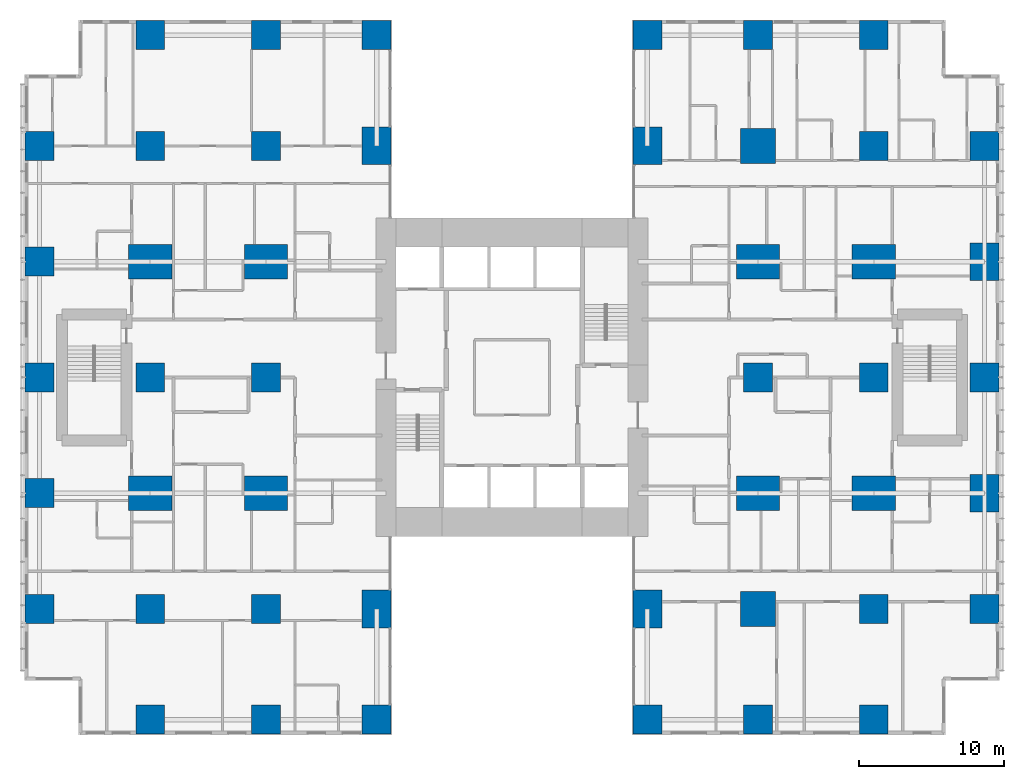
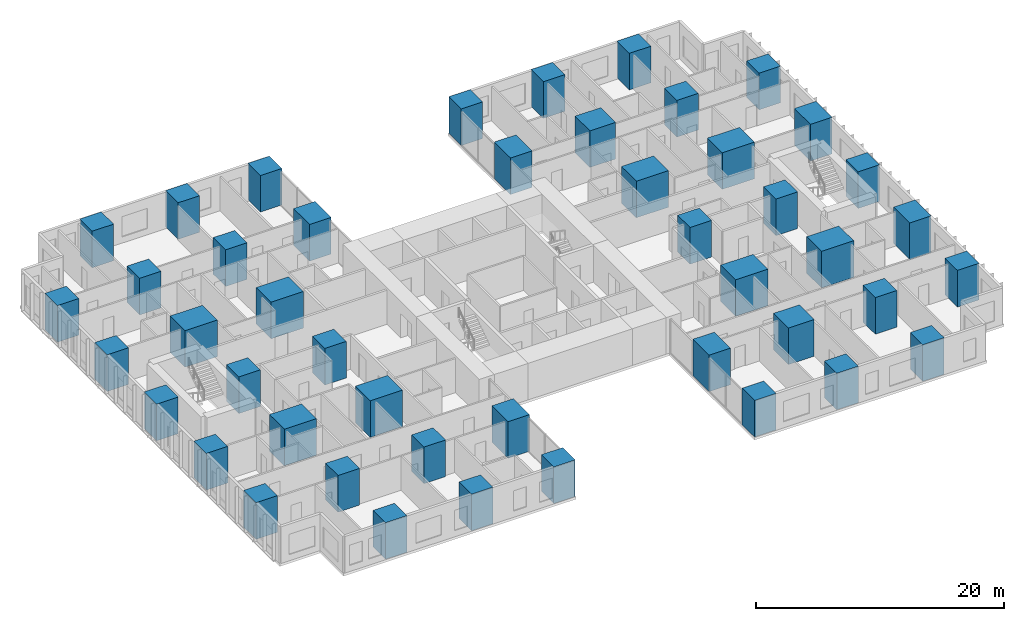
# One storey, part 1 of 20: 46 columns.
"""IFC4 building model written with IfcOpenShell, lengths in metres."""

from ifc_helpers import new_model, si_unit, direction, frame, origin, origin_2d, place, context, subcontext, project, spatial, rectangle, extrude, material, material_profile, profile_set, type_object, element, save


model = new_model("IFC4")

# Units and contexts
model_context = context("Model", 3, precision=1e-05, world=origin(), true_north=direction((0.0, 1.0)))
body_context = subcontext(model_context, "Body", "Model", "MODEL_VIEW")
ifc_project = project(units=[si_unit("LENGTHUNIT", "METRE"), si_unit("AREAUNIT", "SQUARE_METRE"), si_unit("VOLUMEUNIT", "CUBIC_METRE"), si_unit("PLANEANGLEUNIT", "RADIAN"), si_unit("MASSUNIT", "GRAM", prefix="KILO")], contexts=[model_context])

# Site, building, storey
site_placement = place(None, origin())
site = spatial("IfcSite", under=ifc_project, at=site_placement, CompositionType="ELEMENT")
building_placement = place(site_placement, origin())
building = spatial("IfcBuilding", under=site, at=building_placement, Name="Cleftline Residences", CompositionType="ELEMENT")
storey_placement = place(building_placement, frame((0.0, 0.0, 62.0)))
storey = spatial("IfcBuildingStorey", under=building, at=storey_placement, Name="L15", CompositionType="ELEMENT", Elevation=62.0)

# Columns
ifc_material_1 = material(Name="Concrete B70", Category="concrete")
ifc_material_profile_1 = material_profile(ifc_material_1, rectangle(XDim=2.0, YDim=2.0, at=origin_2d()))
ifc_profile_set_1 = profile_set([ifc_material_profile_1], Name="Concrete B70")
column_type_1 = type_object("IfcColumnType", Name="COLUMN RC2000X2000", PredefinedType="COLUMN", material=ifc_profile_set_1)
for number, where, z_axis, x_axis, name in (
    (1, (0.35009765625, 8.0, 0.0), (0.0, 0.0, 1.0), (1.0, 0.0, 0.0), "Column D/3"),
    (2, (0.35009765625, 16.0, 0.0), (0.0, 0.0, 1.0), (1.0, 0.0, 0.0), "Column E/3"),
    (3, (0.35009765625, 24.0, 0.0), (0.0, 0.0, 1.0), (1.0, 0.0, 0.0), "Column F/3"),
    (4, (0.35009765625, 32.0, 0.0), (0.0, 0.0, 1.0), (1.0, 0.0, 0.0), "Column G/3"),
    (5, (0.35009765625, 40.0, 0.0), (0.0, 0.0, 1.0), (1.0, 0.0, 0.0), "Column H/3"),
    (6, (8.0, 0.35009765625, 0.0), (0.0, 0.0, 1.0), (1.0, 0.0, 0.0), "Column C/4"),
    (7, (8.0, 8.0, 0.0), (0.0, 0.0, 1.0), (1.0, 0.0, 0.0), "Column D/4"),
    (8, (8.0, 24.0, 0.0), (0.0, 0.0, 1.0), (1.0, 0.0, 0.0), "Column F/4"),
    (9, (8.0, 40.0, 0.0), (0.0, 0.0, 1.0), (1.0, 0.0, 0.0), "Column H/4"),
    (10, (8.0, 47.64990234375, 0.0), (0.0, 0.0, 1.0), (1.0, 0.0, 0.0), "Column J/4"),
    (11, (16.0, 0.35009765625, 0.0), (0.0, 0.0, 1.0), (1.0, 0.0, 0.0), "Column C/5"),
    (12, (16.0, 8.0, 0.0), (0.0, 0.0, 1.0), (1.0, 0.0, 0.0), "Column D/5"),
    (13, (16.0, 24.0, 0.0), (0.0, 0.0, 1.0), (1.0, 0.0, 0.0), "Column F/5"),
    (14, (16.0, 40.0, 0.0), (0.0, 0.0, 1.0), (1.0, 0.0, 0.0), "Column H/5"),
    (15, (16.0, 47.64990234375, 0.0), (0.0, 0.0, 1.0), (1.0, 0.0, 0.0), "Column J/5"),
    (16, (23.64990234375, 0.35009765625, 0.0), (0.0, 0.0, 1.0), (1.0, 0.0, 0.0), "Column C/6"),
    (17, (23.64990234375, 47.64990234375, 0.0), (0.0, 0.0, 1.0), (1.0, 0.0, 0.0), "Column J/6"),
    (18, (42.35009765625, 0.35009765625, 0.0), (0.0, 0.0, 1.0), (1.0, 0.0, 0.0), "Column C/8"),
    (19, (42.35009765625, 47.64990234375, 0.0), (0.0, 0.0, 1.0), (1.0, 0.0, 0.0), "Column J/8"),
    (20, (50.0, 0.35009765625, 0.0), (0.0, 0.0, 1.0), (1.0, 0.0, 0.0), "Column C/9"),
    (21, (50.0, 24.0, 0.0), (0.0, 0.0, 1.0), (1.0, 0.0, 0.0), "Column F/9"),
    (22, (50.0, 47.64990234375, 0.0), (0.0, 0.0, 1.0), (1.0, 0.0, 0.0), "Column J/9"),
    (23, (58.0, 0.35009765625, 0.0), (0.0, 0.0, 1.0), (1.0, 0.0, 0.0), "Column C/10"),
    (24, (58.0, 8.0, 0.0), (0.0, 0.0, 1.0), (1.0, 0.0, 0.0), "Column D/10"),
    (25, (58.0, 24.0, 0.0), (0.0, 0.0, 1.0), (1.0, 0.0, 0.0), "Column F/10"),
    (26, (58.0, 40.0, 0.0), (0.0, 0.0, 1.0), (1.0, 0.0, 0.0), "Column H/10"),
    (27, (58.0, 47.64990234375, 0.0), (0.0, 0.0, 1.0), (1.0, 0.0, 0.0), "Column J/10"),
    (28, (65.64990234375, 8.0, 0.0), (0.0, 0.0, 1.0), (1.0, 0.0, 0.0), "Column D/11"),
    (29, (65.64990234375, 24.0, 0.0), (0.0, 0.0, 1.0), (1.0, 0.0, 0.0), "Column F/11"),
    (30, (65.64990234375, 40.0, 0.0), (0.0, 0.0, 1.0), (1.0, 0.0, 0.0), "Column H/11"),
):
    element("IfcColumn", number, at=place(storey_placement, frame(where, z_axis=z_axis, x_axis=x_axis)), inside=storey, type_object=column_type_1, Name=name, PredefinedType="COLUMN", context=body_context, shape_type="SweptSolid", body=[
        extrude(rectangle(XDim=2.0, YDim=2.0, at=origin_2d()), origin(), (0.0, 0.0, 1.0), 3.60009765625),
    ])
ifc_material_2 = material(Name="Concrete B70", Category="concrete")
ifc_material_profile_2 = material_profile(ifc_material_2, rectangle(XDim=2.0, YDim=2.60009765625, at=origin_2d()))
ifc_profile_set_2 = profile_set([ifc_material_profile_2], Name="Concrete B70")
column_type_2 = type_object("IfcColumnType", Name="COLUMN RC2000X2600", PredefinedType="COLUMN", material=ifc_profile_set_2)
for number, where, z_axis, x_axis, name in (
    (31, (23.64990234375, 8.0, 0.0), (0.0, 0.0, 1.0), (1.0, 0.0, 0.0), "Column D/6"),
    (32, (23.64990234375, 40.0, 0.0), (0.0, 0.0, 1.0), (1.0, 0.0, 0.0), "Column H/6"),
    (33, (42.35009765625, 8.0, 0.0), (0.0, 0.0, 1.0), (1.0, 0.0, 0.0), "Column D/8"),
    (34, (42.35009765625, 40.0, 0.0), (0.0, 0.0, 1.0), (1.0, 0.0, 0.0), "Column H/8"),
):
    element("IfcColumn", number, at=place(storey_placement, frame(where, z_axis=z_axis, x_axis=x_axis)), inside=storey, type_object=column_type_2, Name=name, PredefinedType="COLUMN", context=body_context, shape_type="SweptSolid", body=[
        extrude(rectangle(XDim=2.0, YDim=2.60009765625, at=origin_2d()), origin(), (0.0, 0.0, 1.0), 3.60009765625),
    ])
ifc_material_3 = material(Name="Concrete B70", Category="concrete")
ifc_material_profile_3 = material_profile(ifc_material_3, rectangle(XDim=2.39990234375, YDim=2.39990234375, at=origin_2d()))
ifc_profile_set_3 = profile_set([ifc_material_profile_3], Name="Concrete B70")
column_type_3 = type_object("IfcColumnType", Name="COLUMN RC2400X2400", PredefinedType="COLUMN", material=ifc_profile_set_3)
for number, where, z_axis, x_axis, name in (
    (35, (50.0, 8.0, 0.0), (0.0, 0.0, 1.0), (1.0, 0.0, 0.0), "Column D/9"),
    (36, (50.0, 40.0, 0.0), (0.0, 0.0, 1.0), (1.0, 0.0, 0.0), "Column H/9"),
):
    element("IfcColumn", number, at=place(storey_placement, frame(where, z_axis=z_axis, x_axis=x_axis)), inside=storey, type_object=column_type_3, Name=name, PredefinedType="COLUMN", context=body_context, shape_type="SweptSolid", body=[
        extrude(rectangle(XDim=2.39990234375, YDim=2.39990234375, at=origin_2d()), origin(), (0.0, 0.0, 1.0), 3.60009765625),
    ])
ifc_material_4 = material(Name="Concrete B70", Category="concrete")
ifc_material_profile_4 = material_profile(ifc_material_4, rectangle(XDim=2.60009765625, YDim=2.0, at=origin_2d()))
ifc_profile_set_4 = profile_set([ifc_material_profile_4], Name="Concrete B70")
column_type_4 = type_object("IfcColumnType", Name="COLUMN RC2600X2000", PredefinedType="COLUMN", material=ifc_profile_set_4)
for number, where, z_axis, x_axis, name in (
    (37, (65.64990234375, 16.0, 0.0), (0.0, 0.0, 1.0), (0.0, 1.0, 0.0), "Column E/11"),
    (38, (65.64990234375, 32.0, 0.0), (0.0, 0.0, 1.0), (0.0, 1.0, 0.0), "Column G/11"),
):
    element("IfcColumn", number, at=place(storey_placement, frame(where, z_axis=z_axis, x_axis=x_axis)), inside=storey, type_object=column_type_4, Name=name, PredefinedType="COLUMN", context=body_context, shape_type="SweptSolid", body=[
        extrude(rectangle(XDim=2.60009765625, YDim=2.0, at=origin_2d()), origin(), (0.0, 0.0, 1.0), 3.60009765625),
    ])
ifc_material_5 = material(Name="Concrete B70", Category="concrete")
ifc_material_profile_5 = material_profile(ifc_material_5, rectangle(XDim=3.0, YDim=2.39990234375, at=origin_2d()))
ifc_profile_set_5 = profile_set([ifc_material_profile_5], Name="Concrete B70")
column_type_5 = type_object("IfcColumnType", Name="COLUMN RC3000X2400", PredefinedType="COLUMN", material=ifc_profile_set_5)
for number, where, z_axis, x_axis, name in (
    (39, (8.0, 16.0, 0.0), (0.0, 0.0, 1.0), (1.0, 0.0, 0.0), "Column E/4"),
    (40, (8.0, 32.0, 0.0), (0.0, 0.0, 1.0), (1.0, 0.0, 0.0), "Column G/4"),
    (41, (16.0, 16.0, 0.0), (0.0, 0.0, 1.0), (1.0, 0.0, 0.0), "Column E/5"),
    (42, (16.0, 32.0, 0.0), (0.0, 0.0, 1.0), (1.0, 0.0, 0.0), "Column G/5"),
    (43, (50.0, 16.0, 0.0), (0.0, 0.0, 1.0), (1.0, 0.0, 0.0), "Column E/9"),
    (44, (50.0, 32.0, 0.0), (0.0, 0.0, 1.0), (1.0, 0.0, 0.0), "Column G/9"),
    (45, (58.0, 16.0, 0.0), (0.0, 0.0, 1.0), (1.0, 0.0, 0.0), "Column E/10"),
    (46, (58.0, 32.0, 0.0), (0.0, 0.0, 1.0), (1.0, 0.0, 0.0), "Column G/10"),
):
    element("IfcColumn", number, at=place(storey_placement, frame(where, z_axis=z_axis, x_axis=x_axis)), inside=storey, type_object=column_type_5, Name=name, PredefinedType="COLUMN", context=body_context, shape_type="SweptSolid", body=[
        extrude(rectangle(XDim=3.0, YDim=2.39990234375, at=origin_2d()), origin(), (0.0, 0.0, 1.0), 3.60009765625),
    ])

save(model, "model.ifc")
